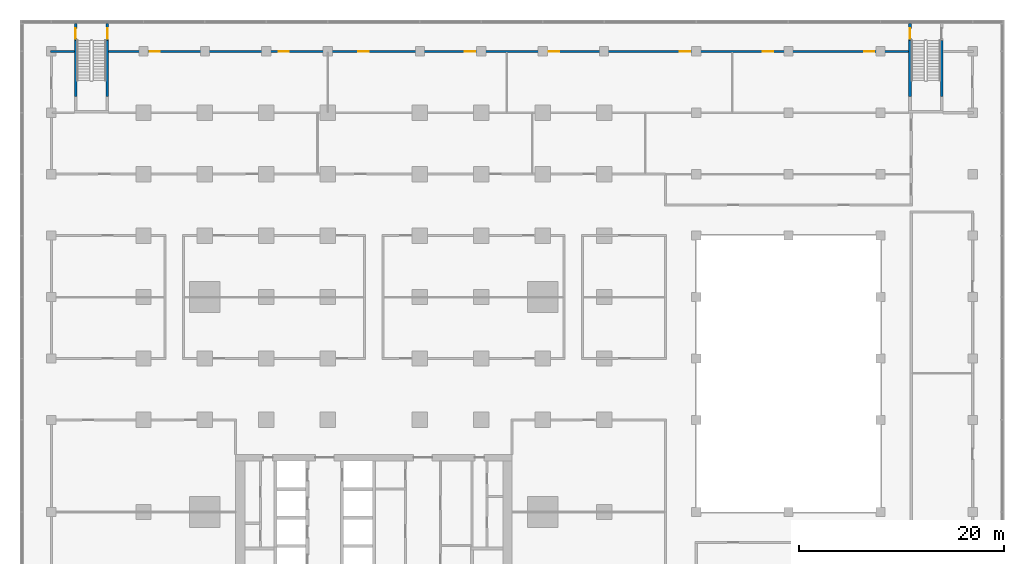
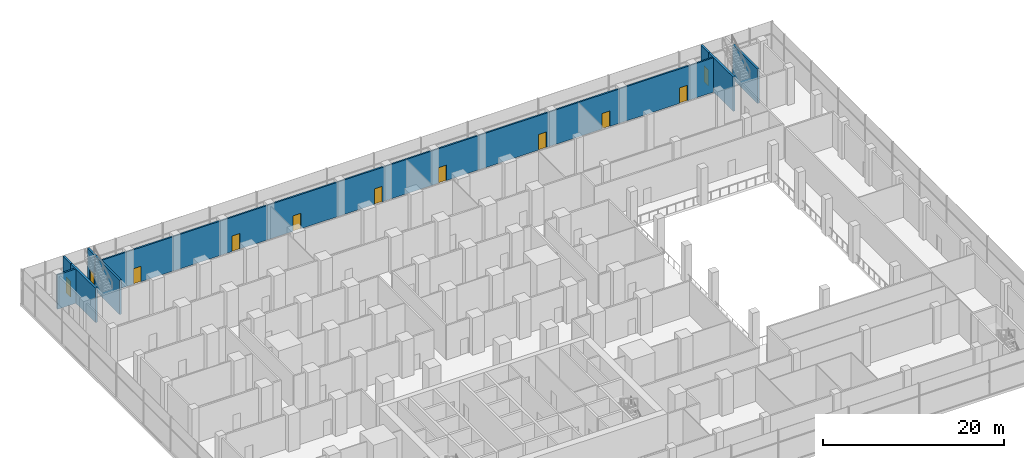
# One storey, part 18 of 22: 11 doors, 9 walls, 11 openings.
"""IFC4 building model written with IfcOpenShell, lengths in metres."""

from ifc_helpers import new_model, si_unit, direction, frame, frame_2d, origin, place, context, subcontext, project, spatial, rectangle, extrude, material, layer, layer_set, type_object, element, fill, save


model = new_model("IFC4")

# Units and contexts
model_context = context("Model", 3, precision=1e-05, world=origin(), true_north=direction((0.0, 1.0)))
body_context = subcontext(model_context, "Body", "Model", "MODEL_VIEW")
ifc_project = project(units=[si_unit("LENGTHUNIT", "METRE"), si_unit("AREAUNIT", "SQUARE_METRE"), si_unit("VOLUMEUNIT", "CUBIC_METRE"), si_unit("PLANEANGLEUNIT", "RADIAN"), si_unit("MASSUNIT", "GRAM", prefix="KILO")], contexts=[model_context])

# Site, building, storey
site_placement = place(None, origin())
site = spatial("IfcSite", under=ifc_project, at=site_placement, CompositionType="ELEMENT")
building_placement = place(site_placement, origin())
building = spatial("IfcBuilding", under=site, at=building_placement, Name="Finial Court Residences", CompositionType="ELEMENT")
storey_placement = place(building_placement, frame((0.0, 0.0, 13.5)))
storey = spatial("IfcBuildingStorey", under=building, at=storey_placement, Name="L02", CompositionType="ELEMENT", Elevation=13.5)

# Wall
ifc_material_1 = material(Name="Gypsum board")
ifc_layer_1 = layer(ifc_material_1, 0.02490234375)
ifc_material_2 = material(Name="Acoustic mineral wool in double frame")
ifc_layer_2 = layer(ifc_material_2, 0.14990234375)
ifc_layer_3 = layer(ifc_material_1, 0.02490234375)
ifc_layer_set_1 = layer_set([ifc_layer_1, ifc_layer_2, ifc_layer_3], Name="Corridor wall 200, 1 hour")
wall_type_1 = type_object("IfcWallType", Name="Corridor wall 200, 1 hour", PredefinedType="PARTITIONING", material=ifc_layer_set_1)
wall_1_placement = place(storey_placement, frame((-31.60009765625, 31.5, 0.0), z_axis=(0.0, 0.0, 1.0), x_axis=(1.0, 0.0, 0.0)))
element("IfcWall", 1, at=wall_1_placement, inside=storey, type_object=wall_type_1, Name="Partition L02-038", PredefinedType="PARTITIONING", context=body_context, shape_type="SweptSolid", body=[
    extrude(rectangle(XDim=2.35009765625, YDim=0.199951171875, at=frame_2d((1.175048828125, 0.0))), origin(), (0.0, 0.0, 1.0), 4.64990234375),
])

# Wall, openings, doors
wall_2_placement = place(storey_placement, frame((-25.89990234375, 31.5, 0.0), z_axis=(0.0, 0.0, 1.0), x_axis=(1.0, 0.0, 0.0)))
wall_2 = element("IfcWall", 2, at=wall_2_placement, inside=storey, type_object=wall_type_1, Name="Partition L02-039", PredefinedType="PARTITIONING", context=body_context, shape_type="SweptSolid", body=[
    extrude(rectangle(XDim=78.14990234375, YDim=0.199951171875, at=frame_2d((39.074951171875, 0.0))), origin(), (0.0, 0.0, 1.0), 4.64990234375),
])
opening_1_placement = place(wall_2_placement, frame((4.0, 0.0, 0.0)))
opening_1 = element("IfcOpeningElement", 3, at=opening_1_placement, cuts=wall_2, Name="Opening L02-D037", PredefinedType="OPENING", context=body_context, shape_type="SweptSolid", body=[
    extrude(rectangle(XDim=1.0, YDim=2.10009765625, at=frame_2d((0.5, 1.050048828125))), frame((0.0, 0.10986328125, 0.0), z_axis=(0.0, -1.0, 0.0), x_axis=(1.0, 0.0, 0.0)), (0.0, 0.0, 1.0), 0.219970703125),
])
opening_2_placement = place(wall_2_placement, frame((16.60009765625, 0.0, 0.0)))
opening_2 = element("IfcOpeningElement", 4, at=opening_2_placement, cuts=wall_2, Name="Opening L02-D038", PredefinedType="OPENING", context=body_context, shape_type="SweptSolid", body=[
    extrude(rectangle(XDim=1.0, YDim=2.10009765625, at=frame_2d((0.5, 1.050048828125))), frame((0.0, 0.10986328125, 0.0), z_axis=(0.0, -1.0, 0.0), x_axis=(1.0, 0.0, 0.0)), (0.0, 0.0, 1.0), 0.219970703125),
])
opening_3_placement = place(wall_2_placement, frame((24.39990234375, 0.0, 0.0)))
opening_3 = element("IfcOpeningElement", 5, at=opening_3_placement, cuts=wall_2, Name="Opening L02-D039", PredefinedType="OPENING", context=body_context, shape_type="SweptSolid", body=[
    extrude(rectangle(XDim=1.0, YDim=2.10009765625, at=frame_2d((0.5, 1.050048828125))), frame((0.0, 0.10986328125, 0.0), z_axis=(0.0, -1.0, 0.0), x_axis=(1.0, 0.0, 0.0)), (0.0, 0.0, 1.0), 0.219970703125),
])
opening_4_placement = place(wall_2_placement, frame((34.800048828125, 0.0, 0.0)))
opening_4 = element("IfcOpeningElement", 6, at=opening_4_placement, cuts=wall_2, Name="Opening L02-D040", PredefinedType="OPENING", context=body_context, shape_type="SweptSolid", body=[
    extrude(rectangle(XDim=1.0, YDim=2.10009765625, at=frame_2d((0.5, 1.050048828125))), frame((0.0, 0.10986328125, 0.0), z_axis=(0.0, -1.0, 0.0), x_axis=(1.0, 0.0, 0.0)), (0.0, 0.0, 1.0), 0.219970703125),
])
opening_5_placement = place(wall_2_placement, frame((43.0, 0.0, 0.0)))
opening_5 = element("IfcOpeningElement", 7, at=opening_5_placement, cuts=wall_2, Name="Opening L02-D041", PredefinedType="OPENING", context=body_context, shape_type="SweptSolid", body=[
    extrude(rectangle(XDim=1.0, YDim=2.10009765625, at=frame_2d((0.5, 1.050048828125))), frame((0.0, 0.10986328125, 0.0), z_axis=(0.0, -1.0, 0.0), x_axis=(1.0, 0.0, 0.0)), (0.0, 0.0, 1.0), 0.219970703125),
])
opening_6_placement = place(wall_2_placement, frame((55.800048828125, 0.0, 0.0)))
opening_6 = element("IfcOpeningElement", 8, at=opening_6_placement, cuts=wall_2, Name="Opening L02-D042", PredefinedType="OPENING", context=body_context, shape_type="SweptSolid", body=[
    extrude(rectangle(XDim=1.0, YDim=2.10009765625, at=frame_2d((0.5, 1.050048828125))), frame((0.0, 0.10986328125, 0.0), z_axis=(0.0, -1.0, 0.0), x_axis=(1.0, 0.0, 0.0)), (0.0, 0.0, 1.0), 0.219970703125),
])
opening_7_placement = place(wall_2_placement, frame((63.89990234375, 0.0, 0.0)))
opening_7 = element("IfcOpeningElement", 9, at=opening_7_placement, cuts=wall_2, Name="Opening L02-D043", PredefinedType="OPENING", context=body_context, shape_type="SweptSolid", body=[
    extrude(rectangle(XDim=1.0, YDim=2.10009765625, at=frame_2d((0.5, 1.050048828125))), frame((0.0, 0.10986328125, 0.0), z_axis=(0.0, -1.0, 0.0), x_axis=(1.0, 0.0, 0.0)), (0.0, 0.0, 1.0), 0.219970703125),
])
opening_8_placement = place(wall_2_placement, frame((73.800048828125, 0.0, 0.0)))
opening_8 = element("IfcOpeningElement", 10, at=opening_8_placement, cuts=wall_2, Name="Opening L02-D044", PredefinedType="OPENING", context=body_context, shape_type="SweptSolid", body=[
    extrude(rectangle(XDim=1.0, YDim=2.10009765625, at=frame_2d((0.5, 1.050048828125))), frame((0.0, 0.10986328125, 0.0), z_axis=(0.0, -1.0, 0.0), x_axis=(1.0, 0.0, 0.0)), (0.0, 0.0, 1.0), 0.219970703125),
])
ifc_material_3 = material(Name="Timber door leaf in hollow metal frame", Category="wood")
door_type_1 = type_object("IfcDoorType", Name="Fire door set 1000 x 2100, 30 minutes", OperationType="SINGLE_SWING_LEFT", PredefinedType="DOOR", material=ifc_material_3)
door_1_placement = place(opening_1_placement, origin())
door_1 = element("IfcDoor", 11, at=door_1_placement, inside=storey, type_object=door_type_1, Name="Door L02-D037", OperationType="SINGLE_SWING_LEFT", OverallHeight=2.10009765625, OverallWidth=1.0, PredefinedType="DOOR", context=body_context, shape_type="SweptSolid", body=[
    extrude(rectangle(XDim=1.0, YDim=2.10009765625, at=frame_2d((0.5, 1.050048828125))), frame((0.0, 0.02490234375, 0.0), z_axis=(0.0, -1.0, 0.0), x_axis=(1.0, 0.0, 0.0)), (0.0, 0.0, 1.0), 0.050048828125),
])
fill(opening_1, door_1)
door_2_placement = place(opening_2_placement, origin())
door_2 = element("IfcDoor", 12, at=door_2_placement, inside=storey, type_object=door_type_1, Name="Door L02-D038", OperationType="SINGLE_SWING_LEFT", OverallHeight=2.10009765625, OverallWidth=1.0, PredefinedType="DOOR", context=body_context, shape_type="SweptSolid", body=[
    extrude(rectangle(XDim=1.0, YDim=2.10009765625, at=frame_2d((0.5, 1.050048828125))), frame((0.0, 0.02490234375, 0.0), z_axis=(0.0, -1.0, 0.0), x_axis=(1.0, 0.0, 0.0)), (0.0, 0.0, 1.0), 0.050048828125),
])
fill(opening_2, door_2)
door_3_placement = place(opening_3_placement, origin())
door_3 = element("IfcDoor", 13, at=door_3_placement, inside=storey, type_object=door_type_1, Name="Door L02-D039", OperationType="SINGLE_SWING_LEFT", OverallHeight=2.10009765625, OverallWidth=1.0, PredefinedType="DOOR", context=body_context, shape_type="SweptSolid", body=[
    extrude(rectangle(XDim=1.0, YDim=2.10009765625, at=frame_2d((0.5, 1.050048828125))), frame((0.0, 0.02490234375, 0.0), z_axis=(0.0, -1.0, 0.0), x_axis=(1.0, 0.0, 0.0)), (0.0, 0.0, 1.0), 0.050048828125),
])
fill(opening_3, door_3)
door_4_placement = place(opening_4_placement, origin())
door_4 = element("IfcDoor", 14, at=door_4_placement, inside=storey, type_object=door_type_1, Name="Door L02-D040", OperationType="SINGLE_SWING_LEFT", OverallHeight=2.10009765625, OverallWidth=1.0, PredefinedType="DOOR", context=body_context, shape_type="SweptSolid", body=[
    extrude(rectangle(XDim=1.0, YDim=2.10009765625, at=frame_2d((0.5, 1.050048828125))), frame((0.0, 0.02490234375, 0.0), z_axis=(0.0, -1.0, 0.0), x_axis=(1.0, 0.0, 0.0)), (0.0, 0.0, 1.0), 0.050048828125),
])
fill(opening_4, door_4)
door_5_placement = place(opening_5_placement, origin())
door_5 = element("IfcDoor", 15, at=door_5_placement, inside=storey, type_object=door_type_1, Name="Door L02-D041", OperationType="SINGLE_SWING_RIGHT", OverallHeight=2.10009765625, OverallWidth=1.0, PredefinedType="DOOR", context=body_context, shape_type="SweptSolid", body=[
    extrude(rectangle(XDim=1.0, YDim=2.10009765625, at=frame_2d((0.5, 1.050048828125))), frame((0.0, 0.02490234375, 0.0), z_axis=(0.0, -1.0, 0.0), x_axis=(1.0, 0.0, 0.0)), (0.0, 0.0, 1.0), 0.050048828125),
])
fill(opening_5, door_5)
door_6_placement = place(opening_6_placement, origin())
door_6 = element("IfcDoor", 16, at=door_6_placement, inside=storey, type_object=door_type_1, Name="Door L02-D042", OperationType="SINGLE_SWING_RIGHT", OverallHeight=2.10009765625, OverallWidth=1.0, PredefinedType="DOOR", context=body_context, shape_type="SweptSolid", body=[
    extrude(rectangle(XDim=1.0, YDim=2.10009765625, at=frame_2d((0.5, 1.050048828125))), frame((0.0, 0.02490234375, 0.0), z_axis=(0.0, -1.0, 0.0), x_axis=(1.0, 0.0, 0.0)), (0.0, 0.0, 1.0), 0.050048828125),
])
fill(opening_6, door_6)
door_7_placement = place(opening_7_placement, origin())
door_7 = element("IfcDoor", 17, at=door_7_placement, inside=storey, type_object=door_type_1, Name="Door L02-D043", OperationType="SINGLE_SWING_RIGHT", OverallHeight=2.10009765625, OverallWidth=1.0, PredefinedType="DOOR", context=body_context, shape_type="SweptSolid", body=[
    extrude(rectangle(XDim=1.0, YDim=2.10009765625, at=frame_2d((0.5, 1.050048828125))), frame((0.0, 0.02490234375, 0.0), z_axis=(0.0, -1.0, 0.0), x_axis=(1.0, 0.0, 0.0)), (0.0, 0.0, 1.0), 0.050048828125),
])
fill(opening_7, door_7)
door_8_placement = place(opening_8_placement, origin())
door_8 = element("IfcDoor", 18, at=door_8_placement, inside=storey, type_object=door_type_1, Name="Door L02-D044", OperationType="SINGLE_SWING_RIGHT", OverallHeight=2.10009765625, OverallWidth=1.0, PredefinedType="DOOR", context=body_context, shape_type="SweptSolid", body=[
    extrude(rectangle(XDim=1.0, YDim=2.10009765625, at=frame_2d((0.5, 1.050048828125))), frame((0.0, 0.02490234375, 0.0), z_axis=(0.0, -1.0, 0.0), x_axis=(1.0, 0.0, 0.0)), (0.0, 0.0, 1.0), 0.050048828125),
])
fill(opening_8, door_8)

# Wall, opening, door
ifc_material_4 = material(Name="Concrete C50/60", Category="concrete")
ifc_layer_4 = layer(ifc_material_4, 0.25)
ifc_layer_set_2 = layer_set([ifc_layer_4], Name="Stair enclosure wall 250 Concrete C50/60")
wall_type_2 = type_object("IfcWallType", Name="Stair enclosure wall 250 Concrete C50/60", PredefinedType="SHEAR", material=ifc_layer_set_2)
wall_3_placement = place(storey_placement, frame((52.375, 34.239990234375, 0.0), z_axis=(0.0, 0.0, 1.0), x_axis=(0.0, -1.0, 0.0)))
wall_3 = element("IfcWall", 19, at=wall_3_placement, inside=storey, type_object=wall_type_2, Name="Exit Stair 5 enclosure wall L02-W1", PredefinedType="SHEAR", context=body_context, shape_type="SweptSolid", body=[
    extrude(rectangle(XDim=1.68994140625, YDim=0.25, at=frame_2d((0.844970703125, 0.0))), origin(), (0.0, 0.0, 1.0), 4.64990234375),
])
opening_9_placement = place(wall_3_placement, frame((0.489990234375, 0.0, 0.0)))
opening_9 = element("IfcOpeningElement", 20, at=opening_9_placement, cuts=wall_3, Name="Opening L02-S5", PredefinedType="OPENING", context=body_context, shape_type="SweptSolid", body=[
    extrude(rectangle(XDim=1.0, YDim=2.10009765625, at=frame_2d((0.5, 1.050048828125))), frame((0.0, 0.135009765625, 0.0), z_axis=(0.0, -1.0, 0.0), x_axis=(1.0, 0.0, 0.0)), (0.0, 0.0, 1.0), 0.27001953125),
])
ifc_material_5 = material(Name="Steel fire door", Category="steel")
door_type_2 = type_object("IfcDoorType", Name="Stair door 1000 x 2100 EI 90", OperationType="NOTDEFINED", PredefinedType="DOOR", material=ifc_material_5)
door_9_placement = place(opening_9_placement, origin())
door_9 = element("IfcDoor", 21, at=door_9_placement, inside=storey, type_object=door_type_2, Name="Exit Stair 5 door L02", OperationType="SINGLE_SWING_LEFT", OverallHeight=2.10009765625, OverallWidth=1.0, PredefinedType="DOOR", context=body_context, shape_type="SweptSolid", body=[
    extrude(rectangle(XDim=1.0, YDim=2.10009765625, at=frame_2d((0.5, 1.050048828125))), frame((0.0, 0.02490234375, 0.0), z_axis=(0.0, -1.0, 0.0), x_axis=(1.0, 0.0, 0.0)), (0.0, 0.0, 1.0), 0.050048828125),
])
fill(opening_9, door_9)

# Walls
for number, where, z_axis, x_axis, name in (
    (22, (52.375, 27.070068359375, 0.0), (0.0, 0.0, 1.0), (0.0, 1.0, 0.0), "Exit Stair 5 enclosure wall L02-W2"),
    (23, (55.47509765625, 27.070068359375, 0.0), (0.0, 0.0, 1.0), (0.0, 1.0, 0.0), "Exit Stair 5 enclosure wall L02-E2"),
):
    element("IfcWall", number, at=place(storey_placement, frame(where, z_axis=z_axis, x_axis=x_axis)), inside=storey, type_object=wall_type_2, Name=name, PredefinedType="SHEAR", context=body_context, shape_type="SweptSolid", body=[
        extrude(rectangle(XDim=5.47998046875, YDim=0.25, at=frame_2d((2.739990234375, 0.0))), origin(), (0.0, 0.0, 1.0), 4.64990234375),
    ])

# Wall, opening, door
wall_4_placement = place(storey_placement, frame((-29.125, 34.239990234375, 0.0), z_axis=(0.0, 0.0, 1.0), x_axis=(0.0, -1.0, 0.0)))
wall_4 = element("IfcWall", 24, at=wall_4_placement, inside=storey, type_object=wall_type_2, Name="Exit Stair 6 enclosure wall L02-W1", PredefinedType="SHEAR", context=body_context, shape_type="SweptSolid", body=[
    extrude(rectangle(XDim=1.68994140625, YDim=0.25, at=frame_2d((0.844970703125, 0.0))), origin(), (0.0, 0.0, 1.0), 4.64990234375),
])
opening_10_placement = place(wall_4_placement, frame((0.489990234375, 0.0, 0.0)))
opening_10 = element("IfcOpeningElement", 25, at=opening_10_placement, cuts=wall_4, Name="Opening L02-S6", PredefinedType="OPENING", context=body_context, shape_type="SweptSolid", body=[
    extrude(rectangle(XDim=1.0, YDim=2.10009765625, at=frame_2d((0.5, 1.050048828125))), frame((0.0, 0.135009765625, 0.0), z_axis=(0.0, -1.0, 0.0), x_axis=(1.0, 0.0, 0.0)), (0.0, 0.0, 1.0), 0.27001953125),
])
door_10_placement = place(opening_10_placement, origin())
door_10 = element("IfcDoor", 26, at=door_10_placement, inside=storey, type_object=door_type_2, Name="Exit Stair 6 door L02", OperationType="SINGLE_SWING_LEFT", OverallHeight=2.10009765625, OverallWidth=1.0, PredefinedType="DOOR", context=body_context, shape_type="SweptSolid", body=[
    extrude(rectangle(XDim=1.0, YDim=2.10009765625, at=frame_2d((0.5, 1.050048828125))), frame((0.0, 0.02490234375, 0.0), z_axis=(0.0, -1.0, 0.0), x_axis=(1.0, 0.0, 0.0)), (0.0, 0.0, 1.0), 0.050048828125),
])
fill(opening_10, door_10)

# Wall
wall_5_placement = place(storey_placement, frame((-29.125, 27.070068359375, 0.0), z_axis=(0.0, 0.0, 1.0), x_axis=(0.0, 1.0, 0.0)))
element("IfcWall", 27, at=wall_5_placement, inside=storey, type_object=wall_type_2, Name="Exit Stair 6 enclosure wall L02-W2", PredefinedType="SHEAR", context=body_context, shape_type="SweptSolid", body=[
    extrude(rectangle(XDim=5.47998046875, YDim=0.25, at=frame_2d((2.739990234375, 0.0))), origin(), (0.0, 0.0, 1.0), 4.64990234375),
])

# Wall, opening, door
wall_6_placement = place(storey_placement, frame((-26.02490234375, 32.550048828125, 0.0), z_axis=(0.0, 0.0, 1.0), x_axis=(0.0, 1.0, 0.0)))
wall_6 = element("IfcWall", 28, at=wall_6_placement, inside=storey, type_object=wall_type_2, Name="Exit Stair 6 enclosure wall L02-E1", PredefinedType="SHEAR", context=body_context, shape_type="SweptSolid", body=[
    extrude(rectangle(XDim=1.68994140625, YDim=0.25, at=frame_2d((0.844970703125, 0.0))), origin(), (0.0, 0.0, 1.0), 4.64990234375),
])
opening_11_placement = place(wall_6_placement, frame((0.199951171875, 0.0, 0.0)))
opening_11 = element("IfcOpeningElement", 29, at=opening_11_placement, cuts=wall_6, Name="Opening L02-S6E", PredefinedType="OPENING", context=body_context, shape_type="SweptSolid", body=[
    extrude(rectangle(XDim=1.0, YDim=2.10009765625, at=frame_2d((0.5, 1.050048828125))), frame((0.0, 0.135009765625, 0.0), z_axis=(0.0, -1.0, 0.0), x_axis=(1.0, 0.0, 0.0)), (0.0, 0.0, 1.0), 0.27001953125),
])
door_11_placement = place(opening_11_placement, origin())
door_11 = element("IfcDoor", 30, at=door_11_placement, inside=storey, type_object=door_type_2, Name="Exit Stair 6 east door L02", OperationType="SINGLE_SWING_RIGHT", OverallHeight=2.10009765625, OverallWidth=1.0, PredefinedType="DOOR", context=body_context, shape_type="SweptSolid", body=[
    extrude(rectangle(XDim=1.0, YDim=2.10009765625, at=frame_2d((0.5, 1.050048828125))), frame((0.0, 0.02490234375, 0.0), z_axis=(0.0, -1.0, 0.0), x_axis=(1.0, 0.0, 0.0)), (0.0, 0.0, 1.0), 0.050048828125),
])
fill(opening_11, door_11)

# Wall
wall_7_placement = place(storey_placement, frame((-26.02490234375, 27.070068359375, 0.0), z_axis=(0.0, 0.0, 1.0), x_axis=(0.0, 1.0, 0.0)))
element("IfcWall", 31, at=wall_7_placement, inside=storey, type_object=wall_type_2, Name="Exit Stair 6 enclosure wall L02-E2", PredefinedType="SHEAR", context=body_context, shape_type="SweptSolid", body=[
    extrude(rectangle(XDim=5.47998046875, YDim=0.25, at=frame_2d((2.739990234375, 0.0))), origin(), (0.0, 0.0, 1.0), 4.64990234375),
])

save(model, "model.ifc")
